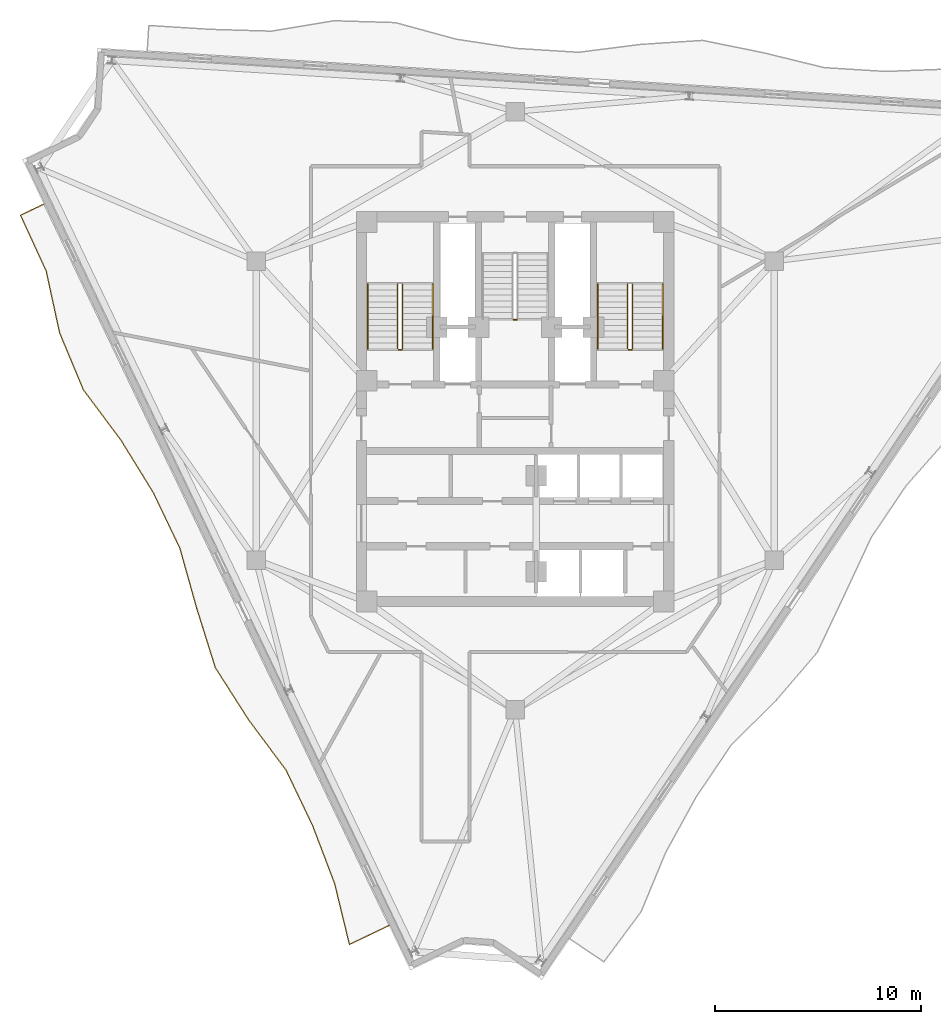
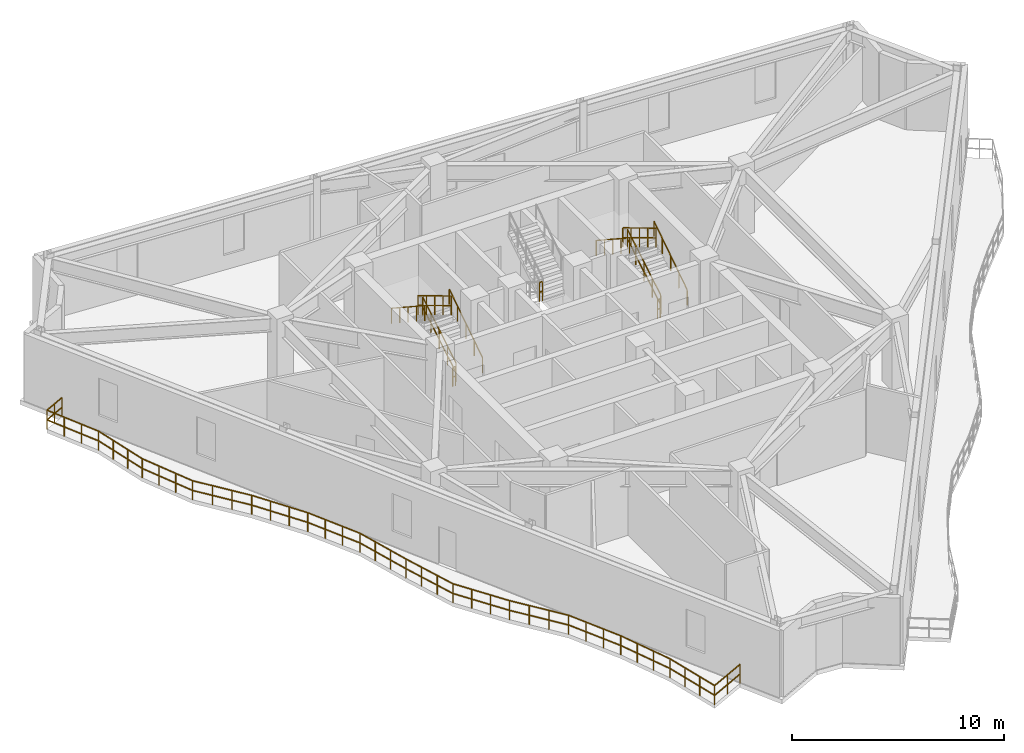
# One storey, part 8 of 10: 12 railings.
"""IFC4 building model written with IfcOpenShell, lengths in metres."""

from ifc_helpers import new_model, si_unit, direction, frame, origin, origin_2d, place, context, subcontext, project, spatial, rectangle, extrude, material, type_object, element, save


model = new_model("IFC4")

# Units and contexts
model_context = context("Model", 3, precision=1e-05, world=origin(), true_north=direction((0.0, 1.0)))
body_context = subcontext(model_context, "Body", "Model", "MODEL_VIEW")
ifc_project = project(units=[si_unit("LENGTHUNIT", "METRE"), si_unit("AREAUNIT", "SQUARE_METRE"), si_unit("VOLUMEUNIT", "CUBIC_METRE"), si_unit("PLANEANGLEUNIT", "RADIAN"), si_unit("MASSUNIT", "GRAM", prefix="KILO")], contexts=[model_context])

# Site, building, storey
site_placement = place(None, origin())
site = spatial("IfcSite", under=ifc_project, at=site_placement, CompositionType="ELEMENT")
building_placement = place(site_placement, origin())
building = spatial("IfcBuilding", under=site, at=building_placement, Name="Apsidion Concourse Tower", CompositionType="ELEMENT")
storey_placement = place(building_placement, frame((0.0, 0.0, 298.300048828125)))
storey = spatial("IfcBuildingStorey", under=building, at=storey_placement, Name="L70", CompositionType="ELEMENT", Elevation=298.300048828125)

# Railings
ifc_material = material(Name="Brushed stainless steel 316", Category="steel")
railing_type_1 = type_object("IfcRailingType", Name="RL-BAL-1120", PredefinedType="BALUSTRADE", material=ifc_material)
railing_1_placement = place(storey_placement, frame((-6.1181640625, -24.96630859375, 0.0)))
element("IfcRailing", 1, at=railing_1_placement, inside=storey, type_object=railing_type_1, Name="L70 Face 1 Rippling Balcony Balustrade", PredefinedType="BALUSTRADE", context=body_context, shape_type="SweptSolid", body=[
    extrude(rectangle(XDim=0.048095703125, YDim=0.048095703125, at=origin_2d()), frame((0.0, 0.0, 1.09619140625), z_axis=(-0.902052613338, -0.431626091391, 0.0), x_axis=(0.431626091391, -0.902052613338, 0.0)), (0.0, 0.0, 1.0), 2.126708984375),
    extrude(rectangle(XDim=0.048095703125, YDim=0.048095703125, at=origin_2d()), frame((0.0, 0.0, 0.5361328125), z_axis=(-0.902052613338, -0.431626091391, 0.0), x_axis=(0.431626091391, -0.902052613338, 0.0)), (0.0, 0.0, 1.0), 2.126708984375),
    extrude(rectangle(XDim=0.048095703125, YDim=0.048095703125, at=origin_2d()), frame((-1.91845703125, -0.91796875, 1.09619140625), z_axis=(-0.236312754512, 0.971677046171, 0.0), x_axis=(-0.971677046171, -0.236312754512, 0.0)), (0.0, 0.0, 1.0), 3.048828125),
    extrude(rectangle(XDim=0.048095703125, YDim=0.048095703125, at=origin_2d()), frame((-1.91845703125, -0.91796875, 0.5361328125), z_axis=(-0.236312754512, 0.971677046171, 0.0), x_axis=(-0.971677046171, -0.236312754512, 0.0)), (0.0, 0.0, 1.0), 3.048828125),
    extrude(rectangle(XDim=0.048095703125, YDim=0.048095703125, at=origin_2d()), frame((-2.638916015625, 2.04443359375, 1.09619140625), z_axis=(-0.355347462945, 0.934734283408, 0.0), x_axis=(-0.934734283408, -0.355347462945, 0.0)), (0.0, 0.0, 1.0), 2.993408203125),
    extrude(rectangle(XDim=0.048095703125, YDim=0.048095703125, at=origin_2d()), frame((-2.638916015625, 2.04443359375, 0.5361328125), z_axis=(-0.355347462945, 0.934734283408, 0.0), x_axis=(-0.934734283408, -0.355347462945, 0.0)), (0.0, 0.0, 1.0), 2.993408203125),
    extrude(rectangle(XDim=0.048095703125, YDim=0.048095703125, at=origin_2d()), frame((-3.70263671875, 4.842529296875, 1.09619140625), z_axis=(-0.431562646754, 0.902082968428, 0.0), x_axis=(-0.902082968428, -0.431562646754, 0.0)), (0.0, 0.0, 1.0), 2.98291015625),
    extrude(rectangle(XDim=0.048095703125, YDim=0.048095703125, at=origin_2d()), frame((-3.70263671875, 4.842529296875, 0.5361328125), z_axis=(-0.431562646754, 0.902082968428, 0.0), x_axis=(-0.902082968428, -0.431562646754, 0.0)), (0.0, 0.0, 1.0), 2.98291015625),
    extrude(rectangle(XDim=0.048095703125, YDim=0.048095703125, at=origin_2d()), frame((-4.989990234375, 7.533447265625, 1.09619140625), z_axis=(-0.596924213504, 0.80229762765, 0.0), x_axis=(-0.80229762765, -0.596924213504, 0.0)), (0.0, 0.0, 1.0), 3.03955078125),
    extrude(rectangle(XDim=0.048095703125, YDim=0.048095703125, at=origin_2d()), frame((-4.989990234375, 7.533447265625, 0.5361328125), z_axis=(-0.596924213504, 0.80229762765, 0.0), x_axis=(-0.80229762765, -0.596924213504, 0.0)), (0.0, 0.0, 1.0), 3.03955078125),
    extrude(rectangle(XDim=0.048095703125, YDim=0.048095703125, at=origin_2d()), frame((-6.804443359375, 9.97216796875, 1.09619140625), z_axis=(-0.537942116221, 0.842981778923, 0.0), x_axis=(-0.842981778923, -0.537942116221, 0.0)), (0.0, 0.0, 1.0), 3.00537109375),
    extrude(rectangle(XDim=0.048095703125, YDim=0.048095703125, at=origin_2d()), frame((-6.804443359375, 9.97216796875, 0.5361328125), z_axis=(-0.537942116221, 0.842981778923, 0.0), x_axis=(-0.842981778923, -0.537942116221, 0.0)), (0.0, 0.0, 1.0), 3.00537109375),
    extrude(rectangle(XDim=0.048095703125, YDim=0.048095703125, at=origin_2d()), frame((-8.421142578125, 12.505615234375, 1.09619140625), z_axis=(-0.298920685111, 0.954277959513, 0.0), x_axis=(-0.954277959513, -0.298920685111, 0.0)), (0.0, 0.0, 1.0), 3.013671875),
    extrude(rectangle(XDim=0.048095703125, YDim=0.048095703125, at=origin_2d()), frame((-8.421142578125, 12.505615234375, 0.5361328125), z_axis=(-0.298920685111, 0.954277959513, 0.0), x_axis=(-0.954277959513, -0.298920685111, 0.0)), (0.0, 0.0, 1.0), 3.013671875),
    extrude(rectangle(XDim=0.048095703125, YDim=0.048095703125, at=origin_2d()), frame((-9.322021484375, 15.381591796875, 1.09619140625), z_axis=(-0.270096422975, 0.962833278557, 0.0), x_axis=(-0.962833278557, -0.270096422975, 0.0)), (0.0, 0.0, 1.0), 3.028076171875),
    extrude(rectangle(XDim=0.048095703125, YDim=0.048095703125, at=origin_2d()), frame((-9.322021484375, 15.381591796875, 0.5361328125), z_axis=(-0.270096422975, 0.962833278557, 0.0), x_axis=(-0.962833278557, -0.270096422975, 0.0)), (0.0, 0.0, 1.0), 3.028076171875),
    extrude(rectangle(XDim=0.048095703125, YDim=0.048095703125, at=origin_2d()), frame((-10.139892578125, 18.297119140625, 1.09619140625), z_axis=(-0.431629243963, 0.902051104847, 0.0), x_axis=(-0.902051104847, -0.431629243963, 0.0)), (0.0, 0.0, 1.0), 2.983154296875),
    extrude(rectangle(XDim=0.048095703125, YDim=0.048095703125, at=origin_2d()), frame((-10.139892578125, 18.297119140625, 0.5361328125), z_axis=(-0.431629243963, 0.902051104847, 0.0), x_axis=(-0.902051104847, -0.431629243963, 0.0)), (0.0, 0.0, 1.0), 2.983154296875),
    extrude(rectangle(XDim=0.048095703125, YDim=0.048095703125, at=origin_2d()), frame((-11.427490234375, 20.988037109375, 1.09619140625), z_axis=(-0.524537822243, 0.851387146389, 0.0), x_axis=(-0.851387146389, -0.524537822243, 0.0)), (0.0, 0.0, 1.0), 2.999755859375),
    extrude(rectangle(XDim=0.048095703125, YDim=0.048095703125, at=origin_2d()), frame((-11.427490234375, 20.988037109375, 0.5361328125), z_axis=(-0.524537822243, 0.851387146389, 0.0), x_axis=(-0.851387146389, -0.524537822243, 0.0)), (0.0, 0.0, 1.0), 2.999755859375),
    extrude(rectangle(XDim=0.048095703125, YDim=0.048095703125, at=origin_2d()), frame((-13.0009765625, 23.5419921875, 1.09619140625), z_axis=(-0.59792968954, 0.801548555214, 0.0), x_axis=(-0.801548555214, -0.59792968954, 0.0)), (0.0, 0.0, 1.0), 3.040771484375),
    extrude(rectangle(XDim=0.048095703125, YDim=0.048095703125, at=origin_2d()), frame((-13.0009765625, 23.5419921875, 0.5361328125), z_axis=(-0.59792968954, 0.801548555214, 0.0), x_axis=(-0.801548555214, -0.59792968954, 0.0)), (0.0, 0.0, 1.0), 3.040771484375),
    extrude(rectangle(XDim=0.048095703125, YDim=0.048095703125, at=origin_2d()), frame((-14.819091796875, 25.979248046875, 1.09619140625), z_axis=(-0.38516089852, 0.922849436393, 0.0), x_axis=(-0.922849436393, -0.38516089852, 0.0)), (0.0, 0.0, 1.0), 2.98681640625),
    extrude(rectangle(XDim=0.048095703125, YDim=0.048095703125, at=origin_2d()), frame((-14.819091796875, 25.979248046875, 0.5361328125), z_axis=(-0.38516089852, 0.922849436393, 0.0), x_axis=(-0.922849436393, -0.38516089852, 0.0)), (0.0, 0.0, 1.0), 2.98681640625),
    extrude(rectangle(XDim=0.048095703125, YDim=0.048095703125, at=origin_2d()), frame((-15.969482421875, 28.735595703125, 1.09619140625), z_axis=(-0.21215521602, 0.977235981898, 0.0), x_axis=(-0.977235981898, -0.21215521602, 0.0)), (0.0, 0.0, 1.0), 3.065673828125),
    extrude(rectangle(XDim=0.048095703125, YDim=0.048095703125, at=origin_2d()), frame((-15.969482421875, 28.735595703125, 0.5361328125), z_axis=(-0.21215521602, 0.977235981898, 0.0), x_axis=(-0.977235981898, -0.21215521602, 0.0)), (0.0, 0.0, 1.0), 3.065673828125),
    extrude(rectangle(XDim=0.048095703125, YDim=0.048095703125, at=origin_2d()), frame((-16.619873046875, 31.7314453125, 1.09619140625), z_axis=(-0.417277358154, 0.908779184605, 0.0), x_axis=(-0.908779184605, -0.417277358154, 0.0)), (0.0, 0.0, 1.0), 2.9833984375),
    extrude(rectangle(XDim=0.048095703125, YDim=0.048095703125, at=origin_2d()), frame((-16.619873046875, 31.7314453125, 0.5361328125), z_axis=(-0.417277358154, 0.908779184605, 0.0), x_axis=(-0.908779184605, -0.417277358154, 0.0)), (0.0, 0.0, 1.0), 2.9833984375),
    extrude(rectangle(XDim=0.048095703125, YDim=0.048095703125, at=origin_2d()), frame((-17.86474609375, 34.442626953125, 1.09619140625), z_axis=(0.902028416464, 0.431676656645, 0.0), x_axis=(-0.431676656645, 0.902028416464, 0.0)), (0.0, 0.0, 1.0), 1.25),
    extrude(rectangle(XDim=0.048095703125, YDim=0.048095703125, at=origin_2d()), frame((-17.86474609375, 34.442626953125, 0.5361328125), z_axis=(0.902028416464, 0.431676656645, 0.0), x_axis=(-0.431676656645, 0.902028416464, 0.0)), (0.0, 0.0, 1.0), 1.25),
    extrude(rectangle(XDim=0.0419921875, YDim=0.0419921875, at=origin_2d()), origin(), (0.0, 0.0, 1.0), 1.072021484375),
    extrude(rectangle(XDim=0.0419921875, YDim=0.0419921875, at=origin_2d()), frame((-0.959228515625, -0.458984375, 0.0)), (0.0, 0.0, 1.0), 1.072021484375),
    extrude(rectangle(XDim=0.0419921875, YDim=0.0419921875, at=origin_2d()), frame((-1.91845703125, -0.91796875, 0.0)), (0.0, 0.0, 1.0), 1.072021484375),
    extrude(rectangle(XDim=0.0419921875, YDim=0.0419921875, at=origin_2d()), frame((-2.15869140625, 0.069580078125, 0.0)), (0.0, 0.0, 1.0), 1.072021484375),
    extrude(rectangle(XDim=0.0419921875, YDim=0.0419921875, at=origin_2d()), frame((-2.398681640625, 1.056884765625, 0.0)), (0.0, 0.0, 1.0), 1.072021484375),
    extrude(rectangle(XDim=0.0419921875, YDim=0.0419921875, at=origin_2d()), frame((-2.638916015625, 2.04443359375, 0.0)), (0.0, 0.0, 1.0), 1.072021484375),
    extrude(rectangle(XDim=0.0419921875, YDim=0.0419921875, at=origin_2d()), frame((-2.993408203125, 2.97705078125, 0.0)), (0.0, 0.0, 1.0), 1.072021484375),
    extrude(rectangle(XDim=0.0419921875, YDim=0.0419921875, at=origin_2d()), frame((-3.34814453125, 3.909912109375, 0.0)), (0.0, 0.0, 1.0), 1.072021484375),
    extrude(rectangle(XDim=0.0419921875, YDim=0.0419921875, at=origin_2d()), frame((-3.70263671875, 4.842529296875, 0.0)), (0.0, 0.0, 1.0), 1.072021484375),
    extrude(rectangle(XDim=0.0419921875, YDim=0.0419921875, at=origin_2d()), frame((-4.1318359375, 5.739501953125, 0.0)), (0.0, 0.0, 1.0), 1.072021484375),
    extrude(rectangle(XDim=0.0419921875, YDim=0.0419921875, at=origin_2d()), frame((-4.560791015625, 6.636474609375, 0.0)), (0.0, 0.0, 1.0), 1.072021484375),
    extrude(rectangle(XDim=0.0419921875, YDim=0.0419921875, at=origin_2d()), frame((-4.989990234375, 7.533447265625, 0.0)), (0.0, 0.0, 1.0), 1.072021484375),
    extrude(rectangle(XDim=0.0419921875, YDim=0.0419921875, at=origin_2d()), frame((-5.5947265625, 8.346435546875, 0.0)), (0.0, 0.0, 1.0), 1.072021484375),
    extrude(rectangle(XDim=0.0419921875, YDim=0.0419921875, at=origin_2d()), frame((-6.19970703125, 9.1591796875, 0.0)), (0.0, 0.0, 1.0), 1.072021484375),
    extrude(rectangle(XDim=0.0419921875, YDim=0.0419921875, at=origin_2d()), frame((-6.804443359375, 9.97216796875, 0.0)), (0.0, 0.0, 1.0), 1.072021484375),
    extrude(rectangle(XDim=0.0419921875, YDim=0.0419921875, at=origin_2d()), frame((-7.34326171875, 10.816650390625, 0.0)), (0.0, 0.0, 1.0), 1.072021484375),
    extrude(rectangle(XDim=0.0419921875, YDim=0.0419921875, at=origin_2d()), frame((-7.88232421875, 11.6611328125, 0.0)), (0.0, 0.0, 1.0), 1.072021484375),
    extrude(rectangle(XDim=0.0419921875, YDim=0.0419921875, at=origin_2d()), frame((-8.421142578125, 12.505615234375, 0.0)), (0.0, 0.0, 1.0), 1.072021484375),
    extrude(rectangle(XDim=0.0419921875, YDim=0.0419921875, at=origin_2d()), frame((-8.721435546875, 13.46435546875, 0.0)), (0.0, 0.0, 1.0), 1.072021484375),
    extrude(rectangle(XDim=0.0419921875, YDim=0.0419921875, at=origin_2d()), frame((-9.021728515625, 14.4228515625, 0.0)), (0.0, 0.0, 1.0), 1.072021484375),
    extrude(rectangle(XDim=0.0419921875, YDim=0.0419921875, at=origin_2d()), frame((-9.322021484375, 15.381591796875, 0.0)), (0.0, 0.0, 1.0), 1.072021484375),
    extrude(rectangle(XDim=0.0419921875, YDim=0.0419921875, at=origin_2d()), frame((-9.5947265625, 16.353515625, 0.0)), (0.0, 0.0, 1.0), 1.072021484375),
    extrude(rectangle(XDim=0.0419921875, YDim=0.0419921875, at=origin_2d()), frame((-9.8671875, 17.3251953125, 0.0)), (0.0, 0.0, 1.0), 1.072021484375),
    extrude(rectangle(XDim=0.0419921875, YDim=0.0419921875, at=origin_2d()), frame((-10.139892578125, 18.297119140625, 0.0)), (0.0, 0.0, 1.0), 1.072021484375),
    extrude(rectangle(XDim=0.0419921875, YDim=0.0419921875, at=origin_2d()), frame((-10.569091796875, 19.194091796875, 0.0)), (0.0, 0.0, 1.0), 1.072021484375),
    extrude(rectangle(XDim=0.0419921875, YDim=0.0419921875, at=origin_2d()), frame((-10.998291015625, 20.091064453125, 0.0)), (0.0, 0.0, 1.0), 1.072021484375),
    extrude(rectangle(XDim=0.0419921875, YDim=0.0419921875, at=origin_2d()), frame((-11.427490234375, 20.988037109375, 0.0)), (0.0, 0.0, 1.0), 1.072021484375),
    extrude(rectangle(XDim=0.0419921875, YDim=0.0419921875, at=origin_2d()), frame((-11.951904296875, 21.83935546875, 0.0)), (0.0, 0.0, 1.0), 1.072021484375),
    extrude(rectangle(XDim=0.0419921875, YDim=0.0419921875, at=origin_2d()), frame((-12.4765625, 22.690673828125, 0.0)), (0.0, 0.0, 1.0), 1.072021484375),
    extrude(rectangle(XDim=0.0419921875, YDim=0.0419921875, at=origin_2d()), frame((-13.0009765625, 23.5419921875, 0.0)), (0.0, 0.0, 1.0), 1.072021484375),
    extrude(rectangle(XDim=0.0419921875, YDim=0.0419921875, at=origin_2d()), frame((-13.60693359375, 24.3544921875, 0.0)), (0.0, 0.0, 1.0), 1.072021484375),
    extrude(rectangle(XDim=0.0419921875, YDim=0.0419921875, at=origin_2d()), frame((-14.213134765625, 25.166748046875, 0.0)), (0.0, 0.0, 1.0), 1.072021484375),
    extrude(rectangle(XDim=0.0419921875, YDim=0.0419921875, at=origin_2d()), frame((-14.819091796875, 25.979248046875, 0.0)), (0.0, 0.0, 1.0), 1.072021484375),
    extrude(rectangle(XDim=0.0419921875, YDim=0.0419921875, at=origin_2d()), frame((-15.20263671875, 26.89794921875, 0.0)), (0.0, 0.0, 1.0), 1.072021484375),
    extrude(rectangle(XDim=0.0419921875, YDim=0.0419921875, at=origin_2d()), frame((-15.5859375, 27.81689453125, 0.0)), (0.0, 0.0, 1.0), 1.072021484375),
    extrude(rectangle(XDim=0.0419921875, YDim=0.0419921875, at=origin_2d()), frame((-15.969482421875, 28.735595703125, 0.0)), (0.0, 0.0, 1.0), 1.072021484375),
    extrude(rectangle(XDim=0.0419921875, YDim=0.0419921875, at=origin_2d()), frame((-16.186279296875, 29.734130859375, 0.0)), (0.0, 0.0, 1.0), 1.072021484375),
    extrude(rectangle(XDim=0.0419921875, YDim=0.0419921875, at=origin_2d()), frame((-16.403076171875, 30.73291015625, 0.0)), (0.0, 0.0, 1.0), 1.072021484375),
    extrude(rectangle(XDim=0.0419921875, YDim=0.0419921875, at=origin_2d()), frame((-16.619873046875, 31.7314453125, 0.0)), (0.0, 0.0, 1.0), 1.072021484375),
    extrude(rectangle(XDim=0.0419921875, YDim=0.0419921875, at=origin_2d()), frame((-17.034912109375, 32.63525390625, 0.0)), (0.0, 0.0, 1.0), 1.072021484375),
    extrude(rectangle(XDim=0.0419921875, YDim=0.0419921875, at=origin_2d()), frame((-17.44970703125, 33.538818359375, 0.0)), (0.0, 0.0, 1.0), 1.072021484375),
    extrude(rectangle(XDim=0.0419921875, YDim=0.0419921875, at=origin_2d()), frame((-17.86474609375, 34.442626953125, 0.0)), (0.0, 0.0, 1.0), 1.072021484375),
    extrude(rectangle(XDim=0.0419921875, YDim=0.0419921875, at=origin_2d()), frame((-17.301025390625, 34.71240234375, 0.0)), (0.0, 0.0, 1.0), 1.072021484375),
    extrude(rectangle(XDim=0.0419921875, YDim=0.0419921875, at=origin_2d()), frame((-16.7373046875, 34.982177734375, 0.0)), (0.0, 0.0, 1.0), 1.072021484375),
])
railing_type_2 = type_object("IfcRailingType", Name="RL-GUARD-1100", PredefinedType="GUARDRAIL", material=ifc_material)
railing_2_placement = place(storey_placement, frame((-5.449951171875, 3.0, 0.1708984375)))
element("IfcRailing", 2, at=railing_2_placement, inside=storey, type_object=railing_type_2, Name="L70 ST1 stair guard 1", PredefinedType="GUARDRAIL", context=body_context, shape_type="SweptSolid", body=[
    extrude(rectangle(XDim=0.048095703125, YDim=0.048095703125, at=origin_2d()), frame((0.0, 0.0, 1.09619140625), z_axis=(0.0, 0.857716804754, 0.514122439544), x_axis=(-1.0, 0.0, 0.0)), (0.0, 0.0, 1.0), 3.655029296875),
    extrude(rectangle(XDim=0.048095703125, YDim=0.048095703125, at=origin_2d()), frame((0.0, 0.0, 0.5361328125), z_axis=(0.0, 0.857716804754, 0.514122439544), x_axis=(-1.0, 0.0, 0.0)), (0.0, 0.0, 1.0), 3.655029296875),
    extrude(rectangle(XDim=0.0419921875, YDim=0.0419921875, at=origin_2d()), origin(), (0.0, 0.0, 1.0), 1.072021484375),
    extrude(rectangle(XDim=0.0419921875, YDim=0.0419921875, at=origin_2d()), frame((0.0, 0.78369140625, 0.4697265625)), (0.0, 0.0, 1.0), 1.072021484375),
    extrude(rectangle(XDim=0.0419921875, YDim=0.0419921875, at=origin_2d()), frame((0.0, 1.5673828125, 0.939453125)), (0.0, 0.0, 1.0), 1.072021484375),
    extrude(rectangle(XDim=0.0419921875, YDim=0.0419921875, at=origin_2d()), frame((0.0, 2.351318359375, 1.409423828125)), (0.0, 0.0, 1.0), 1.072021484375),
    extrude(rectangle(XDim=0.0419921875, YDim=0.0419921875, at=origin_2d()), frame((0.0, 3.135009765625, 1.879150390625)), (0.0, 0.0, 1.0), 1.072021484375),
])
railing_3_placement = place(storey_placement, frame((-5.699951171875, 6.135009765625, 2.220703125)))
element("IfcRailing", 3, at=railing_3_placement, inside=storey, type_object=railing_type_2, Name="L70 ST1 stair guard 3", PredefinedType="GUARDRAIL", context=body_context, shape_type="SweptSolid", body=[
    extrude(rectangle(XDim=0.048095703125, YDim=0.048095703125, at=origin_2d()), frame((0.0, 0.0, 1.09619140625), z_axis=(0.0, -0.857716804754, 0.514122439544), x_axis=(1.0, 0.0, 0.0)), (0.0, 0.0, 1.0), 3.655029296875),
    extrude(rectangle(XDim=0.048095703125, YDim=0.048095703125, at=origin_2d()), frame((0.0, 0.0, 0.5361328125), z_axis=(0.0, -0.857716804754, 0.514122439544), x_axis=(1.0, 0.0, 0.0)), (0.0, 0.0, 1.0), 3.655029296875),
    extrude(rectangle(XDim=0.0419921875, YDim=0.0419921875, at=origin_2d()), origin(), (0.0, 0.0, 1.0), 1.072021484375),
    extrude(rectangle(XDim=0.0419921875, YDim=0.0419921875, at=origin_2d()), frame((0.0, -0.78369140625, 0.4697265625)), (0.0, 0.0, 1.0), 1.072021484375),
    extrude(rectangle(XDim=0.0419921875, YDim=0.0419921875, at=origin_2d()), frame((0.0, -1.5673828125, 0.939453125)), (0.0, 0.0, 1.0), 1.072021484375),
    extrude(rectangle(XDim=0.0419921875, YDim=0.0419921875, at=origin_2d()), frame((0.0, -2.351318359375, 1.409423828125)), (0.0, 0.0, 1.0), 1.072021484375),
    extrude(rectangle(XDim=0.0419921875, YDim=0.0419921875, at=origin_2d()), frame((0.0, -3.135009765625, 1.879150390625)), (0.0, 0.0, 1.0), 1.072021484375),
])
railing_4_placement = place(storey_placement, frame((-5.5, 2.949951171875, 0.0)))
element("IfcRailing", 4, at=railing_4_placement, inside=storey, type_object=railing_type_2, Name="L70 ST1 stair guard 4", PredefinedType="GUARDRAIL", context=body_context, shape_type="SweptSolid", body=[
    extrude(rectangle(XDim=0.048095703125, YDim=0.048095703125, at=origin_2d()), frame((0.0, 0.0, 1.09619140625), z_axis=(-1.0, 0.0, 0.0), x_axis=(0.0, -1.0, 0.0)), (0.0, 0.0, 1.0), 0.14990234375),
    extrude(rectangle(XDim=0.048095703125, YDim=0.048095703125, at=origin_2d()), frame((0.0, 0.0, 0.5361328125), z_axis=(-1.0, 0.0, 0.0), x_axis=(0.0, -1.0, 0.0)), (0.0, 0.0, 1.0), 0.14990234375),
    extrude(rectangle(XDim=0.0419921875, YDim=0.0419921875, at=origin_2d()), origin(), (0.0, 0.0, 1.0), 1.072021484375),
    extrude(rectangle(XDim=0.0419921875, YDim=0.0419921875, at=origin_2d()), frame((-0.14990234375, 0.0, 0.0)), (0.0, 0.0, 1.0), 1.072021484375),
])
railing_5_placement = place(storey_placement, frame((5.699951171875, 3.0, 0.1708984375)))
element("IfcRailing", 5, at=railing_5_placement, inside=storey, type_object=railing_type_2, Name="L70 ST2 stair guard 1", PredefinedType="GUARDRAIL", context=body_context, shape_type="SweptSolid", body=[
    extrude(rectangle(XDim=0.048095703125, YDim=0.048095703125, at=origin_2d()), frame((0.0, 0.0, 1.09619140625), z_axis=(0.0, 0.857716804754, 0.514122439544), x_axis=(-1.0, 0.0, 0.0)), (0.0, 0.0, 1.0), 3.655029296875),
    extrude(rectangle(XDim=0.048095703125, YDim=0.048095703125, at=origin_2d()), frame((0.0, 0.0, 0.5361328125), z_axis=(0.0, 0.857716804754, 0.514122439544), x_axis=(-1.0, 0.0, 0.0)), (0.0, 0.0, 1.0), 3.655029296875),
    extrude(rectangle(XDim=0.0419921875, YDim=0.0419921875, at=origin_2d()), origin(), (0.0, 0.0, 1.0), 1.072021484375),
    extrude(rectangle(XDim=0.0419921875, YDim=0.0419921875, at=origin_2d()), frame((0.0, 0.78369140625, 0.4697265625)), (0.0, 0.0, 1.0), 1.072021484375),
    extrude(rectangle(XDim=0.0419921875, YDim=0.0419921875, at=origin_2d()), frame((0.0, 1.5673828125, 0.939453125)), (0.0, 0.0, 1.0), 1.072021484375),
    extrude(rectangle(XDim=0.0419921875, YDim=0.0419921875, at=origin_2d()), frame((0.0, 2.351318359375, 1.409423828125)), (0.0, 0.0, 1.0), 1.072021484375),
    extrude(rectangle(XDim=0.0419921875, YDim=0.0419921875, at=origin_2d()), frame((0.0, 3.135009765625, 1.879150390625)), (0.0, 0.0, 1.0), 1.072021484375),
])
railing_6_placement = place(storey_placement, frame((5.449951171875, 6.135009765625, 2.220703125)))
element("IfcRailing", 6, at=railing_6_placement, inside=storey, type_object=railing_type_2, Name="L70 ST2 stair guard 3", PredefinedType="GUARDRAIL", context=body_context, shape_type="SweptSolid", body=[
    extrude(rectangle(XDim=0.048095703125, YDim=0.048095703125, at=origin_2d()), frame((0.0, 0.0, 1.09619140625), z_axis=(0.0, -0.857716804754, 0.514122439544), x_axis=(1.0, 0.0, 0.0)), (0.0, 0.0, 1.0), 3.655029296875),
    extrude(rectangle(XDim=0.048095703125, YDim=0.048095703125, at=origin_2d()), frame((0.0, 0.0, 0.5361328125), z_axis=(0.0, -0.857716804754, 0.514122439544), x_axis=(1.0, 0.0, 0.0)), (0.0, 0.0, 1.0), 3.655029296875),
    extrude(rectangle(XDim=0.0419921875, YDim=0.0419921875, at=origin_2d()), origin(), (0.0, 0.0, 1.0), 1.072021484375),
    extrude(rectangle(XDim=0.0419921875, YDim=0.0419921875, at=origin_2d()), frame((0.0, -0.78369140625, 0.4697265625)), (0.0, 0.0, 1.0), 1.072021484375),
    extrude(rectangle(XDim=0.0419921875, YDim=0.0419921875, at=origin_2d()), frame((0.0, -1.5673828125, 0.939453125)), (0.0, 0.0, 1.0), 1.072021484375),
    extrude(rectangle(XDim=0.0419921875, YDim=0.0419921875, at=origin_2d()), frame((0.0, -2.351318359375, 1.409423828125)), (0.0, 0.0, 1.0), 1.072021484375),
    extrude(rectangle(XDim=0.0419921875, YDim=0.0419921875, at=origin_2d()), frame((0.0, -3.135009765625, 1.879150390625)), (0.0, 0.0, 1.0), 1.072021484375),
])
railing_7_placement = place(storey_placement, frame((5.64990234375, 2.949951171875, 0.0)))
element("IfcRailing", 7, at=railing_7_placement, inside=storey, type_object=railing_type_2, Name="L70 ST2 stair guard 4", PredefinedType="GUARDRAIL", context=body_context, shape_type="SweptSolid", body=[
    extrude(rectangle(XDim=0.048095703125, YDim=0.048095703125, at=origin_2d()), frame((0.0, 0.0, 1.09619140625), z_axis=(-1.0, 0.0, 0.0), x_axis=(0.0, -1.0, 0.0)), (0.0, 0.0, 1.0), 0.14990234375),
    extrude(rectangle(XDim=0.048095703125, YDim=0.048095703125, at=origin_2d()), frame((0.0, 0.0, 0.5361328125), z_axis=(-1.0, 0.0, 0.0), x_axis=(0.0, -1.0, 0.0)), (0.0, 0.0, 1.0), 0.14990234375),
    extrude(rectangle(XDim=0.0419921875, YDim=0.0419921875, at=origin_2d()), origin(), (0.0, 0.0, 1.0), 1.072021484375),
    extrude(rectangle(XDim=0.0419921875, YDim=0.0419921875, at=origin_2d()), frame((-0.14990234375, 0.0, 0.0)), (0.0, 0.0, 1.0), 1.072021484375),
])
railing_8_placement = place(storey_placement, frame((-0.074951171875, 4.4150390625, 2.050048828125)))
element("IfcRailing", 8, at=railing_8_placement, inside=storey, type_object=railing_type_2, Name="L70 ST3 stair guard 2", PredefinedType="GUARDRAIL", context=body_context, shape_type="SweptSolid", body=[
    extrude(rectangle(XDim=0.048095703125, YDim=0.048095703125, at=origin_2d()), frame((0.0, 0.0, 1.09619140625), z_axis=(1.0, 0.0, 0.0), x_axis=(0.0, 1.0, 0.0)), (0.0, 0.0, 1.0), 0.14990234375),
    extrude(rectangle(XDim=0.048095703125, YDim=0.048095703125, at=origin_2d()), frame((0.0, 0.0, 0.5361328125), z_axis=(1.0, 0.0, 0.0), x_axis=(0.0, 1.0, 0.0)), (0.0, 0.0, 1.0), 0.14990234375),
    extrude(rectangle(XDim=0.0419921875, YDim=0.0419921875, at=origin_2d()), origin(), (0.0, 0.0, 1.0), 1.072021484375),
    extrude(rectangle(XDim=0.0419921875, YDim=0.0419921875, at=origin_2d()), frame((0.14990234375, 0.0, 0.0)), (0.0, 0.0, 1.0), 1.072021484375),
])
railing_type_3 = type_object("IfcRailingType", Name="RL-HAND-900", PredefinedType="HANDRAIL", material=ifc_material)
railing_9_placement = place(storey_placement, frame((-4.0, 3.0, 0.1708984375)))
element("IfcRailing", 9, at=railing_9_placement, inside=storey, type_object=railing_type_3, Name="L70 ST1 stair handrail 1", PredefinedType="HANDRAIL", context=body_context, shape_type="SweptSolid", body=[
    extrude(rectangle(XDim=0.048095703125, YDim=0.048095703125, at=origin_2d()), frame((0.0, 0.0, 0.8759765625), z_axis=(0.0, 0.836970762213, 0.547247606848), x_axis=(-1.0, 0.0, 0.0)), (0.0, 0.0, 1.0), 3.74560546875),
    extrude(rectangle(XDim=0.0419921875, YDim=0.0419921875, at=origin_2d()), origin(), (0.0, 0.0, 1.0), 0.851806640625),
    extrude(rectangle(XDim=0.0419921875, YDim=0.0419921875, at=origin_2d()), frame((0.0, 0.78369140625, 0.512451171875)), (0.0, 0.0, 1.0), 0.851806640625),
    extrude(rectangle(XDim=0.0419921875, YDim=0.0419921875, at=origin_2d()), frame((0.0, 1.5673828125, 1.02490234375)), (0.0, 0.0, 1.0), 0.851806640625),
    extrude(rectangle(XDim=0.0419921875, YDim=0.0419921875, at=origin_2d()), frame((0.0, 2.351318359375, 1.537353515625)), (0.0, 0.0, 1.0), 0.851806640625),
    extrude(rectangle(XDim=0.0419921875, YDim=0.0419921875, at=origin_2d()), frame((0.0, 3.135009765625, 2.0498046875)), (0.0, 0.0, 1.0), 0.851806640625),
])
railing_10_placement = place(storey_placement, frame((-7.14990234375, 6.135009765625, 2.220703125)))
element("IfcRailing", 10, at=railing_10_placement, inside=storey, type_object=railing_type_3, Name="L70 ST1 stair handrail 2", PredefinedType="HANDRAIL", context=body_context, shape_type="SweptSolid", body=[
    extrude(rectangle(XDim=0.048095703125, YDim=0.048095703125, at=origin_2d()), frame((0.0, 0.0, 0.8759765625), z_axis=(0.0, -0.836940907821, 0.547293263996), x_axis=(1.0, 0.0, 0.0)), (0.0, 0.0, 1.0), 3.745849609375),
    extrude(rectangle(XDim=0.0419921875, YDim=0.0419921875, at=origin_2d()), origin(), (0.0, 0.0, 1.0), 0.851806640625),
    extrude(rectangle(XDim=0.0419921875, YDim=0.0419921875, at=origin_2d()), frame((0.0, -0.78369140625, 0.512451171875)), (0.0, 0.0, 1.0), 0.851806640625),
    extrude(rectangle(XDim=0.0419921875, YDim=0.0419921875, at=origin_2d()), frame((0.0, -1.5673828125, 1.02490234375)), (0.0, 0.0, 1.0), 0.851806640625),
    extrude(rectangle(XDim=0.0419921875, YDim=0.0419921875, at=origin_2d()), frame((0.0, -2.351318359375, 1.53759765625)), (0.0, 0.0, 1.0), 0.851806640625),
    extrude(rectangle(XDim=0.0419921875, YDim=0.0419921875, at=origin_2d()), frame((0.0, -3.135009765625, 2.050048828125)), (0.0, 0.0, 1.0), 0.851806640625),
])
railing_11_placement = place(storey_placement, frame((7.14990234375, 3.0, 0.1708984375)))
element("IfcRailing", 11, at=railing_11_placement, inside=storey, type_object=railing_type_3, Name="L70 ST2 stair handrail 1", PredefinedType="HANDRAIL", context=body_context, shape_type="SweptSolid", body=[
    extrude(rectangle(XDim=0.048095703125, YDim=0.048095703125, at=origin_2d()), frame((0.0, 0.0, 0.8759765625), z_axis=(0.0, 0.836970762213, 0.547247606848), x_axis=(-1.0, 0.0, 0.0)), (0.0, 0.0, 1.0), 3.74560546875),
    extrude(rectangle(XDim=0.0419921875, YDim=0.0419921875, at=origin_2d()), origin(), (0.0, 0.0, 1.0), 0.851806640625),
    extrude(rectangle(XDim=0.0419921875, YDim=0.0419921875, at=origin_2d()), frame((0.0, 0.78369140625, 0.512451171875)), (0.0, 0.0, 1.0), 0.851806640625),
    extrude(rectangle(XDim=0.0419921875, YDim=0.0419921875, at=origin_2d()), frame((0.0, 1.5673828125, 1.02490234375)), (0.0, 0.0, 1.0), 0.851806640625),
    extrude(rectangle(XDim=0.0419921875, YDim=0.0419921875, at=origin_2d()), frame((0.0, 2.351318359375, 1.537353515625)), (0.0, 0.0, 1.0), 0.851806640625),
    extrude(rectangle(XDim=0.0419921875, YDim=0.0419921875, at=origin_2d()), frame((0.0, 3.135009765625, 2.0498046875)), (0.0, 0.0, 1.0), 0.851806640625),
])
railing_12_placement = place(storey_placement, frame((4.0, 6.135009765625, 2.220703125)))
element("IfcRailing", 12, at=railing_12_placement, inside=storey, type_object=railing_type_3, Name="L70 ST2 stair handrail 2", PredefinedType="HANDRAIL", context=body_context, shape_type="SweptSolid", body=[
    extrude(rectangle(XDim=0.048095703125, YDim=0.048095703125, at=origin_2d()), frame((0.0, 0.0, 0.8759765625), z_axis=(0.0, -0.836940907821, 0.547293263996), x_axis=(1.0, 0.0, 0.0)), (0.0, 0.0, 1.0), 3.745849609375),
    extrude(rectangle(XDim=0.0419921875, YDim=0.0419921875, at=origin_2d()), origin(), (0.0, 0.0, 1.0), 0.851806640625),
    extrude(rectangle(XDim=0.0419921875, YDim=0.0419921875, at=origin_2d()), frame((0.0, -0.78369140625, 0.512451171875)), (0.0, 0.0, 1.0), 0.851806640625),
    extrude(rectangle(XDim=0.0419921875, YDim=0.0419921875, at=origin_2d()), frame((0.0, -1.5673828125, 1.02490234375)), (0.0, 0.0, 1.0), 0.851806640625),
    extrude(rectangle(XDim=0.0419921875, YDim=0.0419921875, at=origin_2d()), frame((0.0, -2.351318359375, 1.53759765625)), (0.0, 0.0, 1.0), 0.851806640625),
    extrude(rectangle(XDim=0.0419921875, YDim=0.0419921875, at=origin_2d()), frame((0.0, -3.135009765625, 2.050048828125)), (0.0, 0.0, 1.0), 0.851806640625),
])

save(model, "model.ifc")
